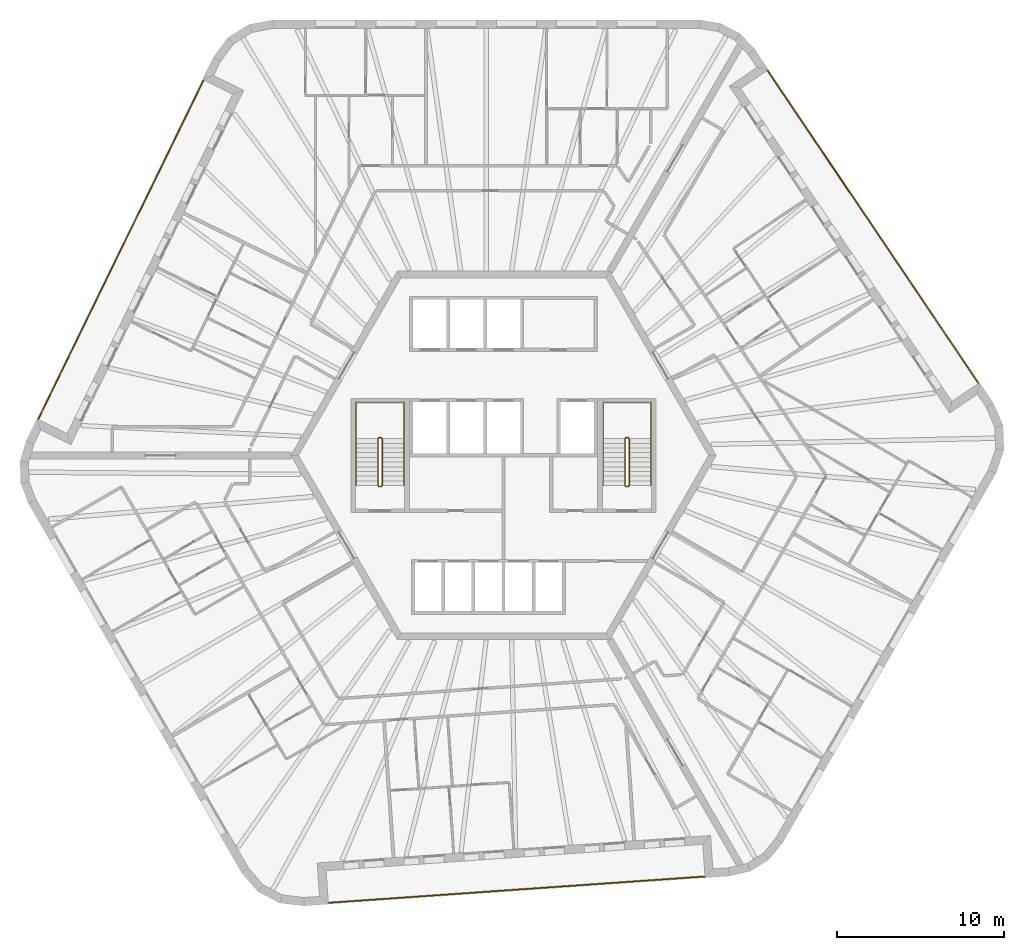
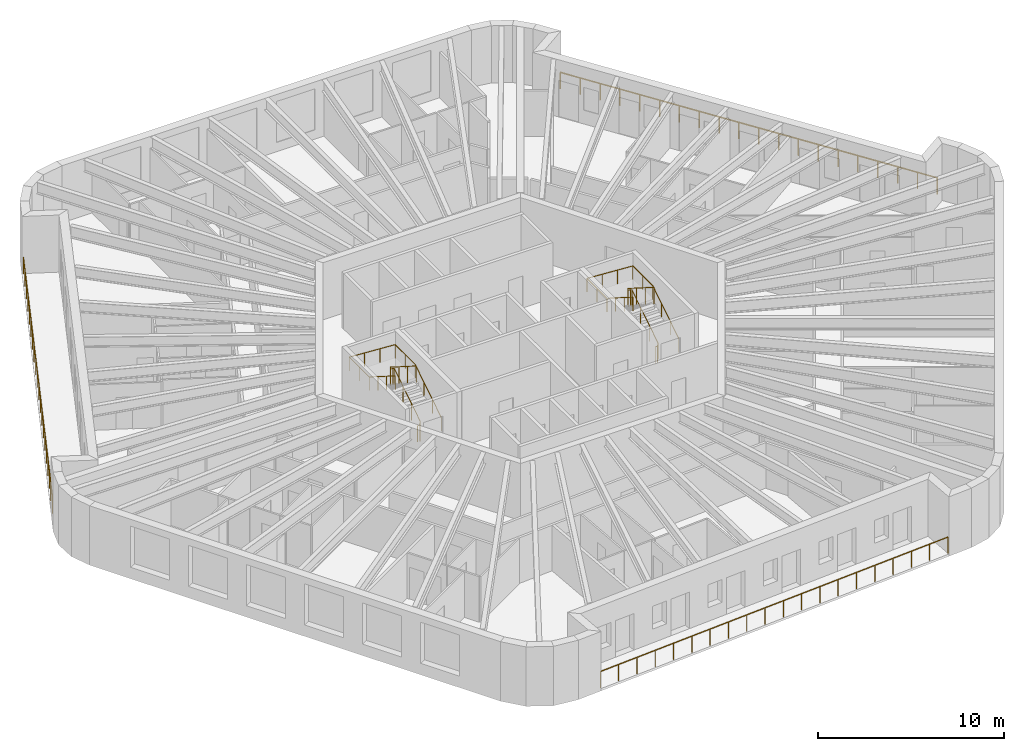
# One storey, part 12 of 12: 7 railings.
"""IFC4 building model written with IfcOpenShell, lengths in metres."""

from ifc_helpers import new_model, si_unit, direction, frame, origin, origin_2d, place, context, subcontext, project, spatial, circle, extrude, material, type_object, element, save


model = new_model("IFC4")

# Units and contexts
model_context = context("Model", 3, precision=1e-05, world=origin(), true_north=direction((0.0, 1.0)))
body_context = subcontext(model_context, "Body", "Model", "MODEL_VIEW")
ifc_project = project(units=[si_unit("LENGTHUNIT", "METRE"), si_unit("AREAUNIT", "SQUARE_METRE"), si_unit("VOLUMEUNIT", "CUBIC_METRE"), si_unit("PLANEANGLEUNIT", "RADIAN"), si_unit("MASSUNIT", "GRAM", prefix="KILO")], contexts=[model_context])

# Site, building, storey
site_placement = place(None, origin())
site = spatial("IfcSite", under=ifc_project, at=site_placement, CompositionType="ELEMENT")
building_placement = place(site_placement, origin())
building = spatial("IfcBuilding", under=site, at=building_placement, Name="Tarnside Tower", CompositionType="ELEMENT")
storey_placement = place(building_placement, frame((0.0, 0.0, 287.39990234375)))
storey = spatial("IfcBuildingStorey", under=building, at=storey_placement, Name="L69", CompositionType="ELEMENT", Elevation=287.39990234375)

# Railings
ifc_material_1 = material(Name="Toughened glass", Category="glass")
railing_type_1 = type_object("IfcRailingType", Name="Glass guard 1100", PredefinedType="GUARDRAIL", material=ifc_material_1)
railing_1_placement = place(storey_placement, frame((-17.906005859375, 22.415283203125, 0.0)))
element("IfcRailing", 1, at=railing_1_placement, inside=storey, type_object=railing_type_1, Name="Loggia guard L69 F2", PredefinedType="GUARDRAIL", context=body_context, shape_type="SweptSolid", body=[
    extrude(circle(Radius=0.030029296875, at=origin_2d()), frame((0.0, 0.0, 1.070068359375), z_axis=(-0.438372639335, -0.898793318335, 0.0), x_axis=(0.898793318335, -0.438372639335, 0.0)), (0.0, 0.0, 1.0), 22.544921875),
    extrude(circle(Radius=0.02490234375, at=origin_2d()), origin(), (0.0, 0.0, 1.0), 1.0400390625),
    extrude(circle(Radius=0.02490234375, at=origin_2d()), frame((-0.520263671875, -1.06640625, 0.0)), (0.0, 0.0, 1.0), 1.0400390625),
    extrude(circle(Radius=0.02490234375, at=origin_2d()), frame((-1.040283203125, -2.133056640625, 0.0)), (0.0, 0.0, 1.0), 1.0400390625),
    extrude(circle(Radius=0.02490234375, at=origin_2d()), frame((-1.560546875, -3.199462890625, 0.0)), (0.0, 0.0, 1.0), 1.0400390625),
    extrude(circle(Radius=0.02490234375, at=origin_2d()), frame((-2.08056640625, -4.265869140625, 0.0)), (0.0, 0.0, 1.0), 1.0400390625),
    extrude(circle(Radius=0.02490234375, at=origin_2d()), frame((-2.600830078125, -5.33251953125, 0.0)), (0.0, 0.0, 1.0), 1.0400390625),
    extrude(circle(Radius=0.02490234375, at=origin_2d()), frame((-3.120849609375, -6.39892578125, 0.0)), (0.0, 0.0, 1.0), 1.0400390625),
    extrude(circle(Radius=0.02490234375, at=origin_2d()), frame((-3.64111328125, -7.46533203125, 0.0)), (0.0, 0.0, 1.0), 1.0400390625),
    extrude(circle(Radius=0.02490234375, at=origin_2d()), frame((-4.161376953125, -8.531982421875, 0.0)), (0.0, 0.0, 1.0), 1.0400390625),
    extrude(circle(Radius=0.02490234375, at=origin_2d()), frame((-4.681396484375, -9.598388671875, 0.0)), (0.0, 0.0, 1.0), 1.0400390625),
    extrude(circle(Radius=0.02490234375, at=origin_2d()), frame((-5.20166015625, -10.664794921875, 0.0)), (0.0, 0.0, 1.0), 1.0400390625),
    extrude(circle(Radius=0.02490234375, at=origin_2d()), frame((-5.7216796875, -11.731201171875, 0.0)), (0.0, 0.0, 1.0), 1.0400390625),
    extrude(circle(Radius=0.02490234375, at=origin_2d()), frame((-6.241943359375, -12.7978515625, 0.0)), (0.0, 0.0, 1.0), 1.0400390625),
    extrude(circle(Radius=0.02490234375, at=origin_2d()), frame((-6.76220703125, -13.8642578125, 0.0)), (0.0, 0.0, 1.0), 1.0400390625),
    extrude(circle(Radius=0.02490234375, at=origin_2d()), frame((-7.2822265625, -14.9306640625, 0.0)), (0.0, 0.0, 1.0), 1.0400390625),
    extrude(circle(Radius=0.02490234375, at=origin_2d()), frame((-7.802490234375, -15.997314453125, 0.0)), (0.0, 0.0, 1.0), 1.0400390625),
    extrude(circle(Radius=0.02490234375, at=origin_2d()), frame((-8.322509765625, -17.063720703125, 0.0)), (0.0, 0.0, 1.0), 1.0400390625),
    extrude(circle(Radius=0.02490234375, at=origin_2d()), frame((-8.8427734375, -18.130126953125, 0.0)), (0.0, 0.0, 1.0), 1.0400390625),
    extrude(circle(Radius=0.02490234375, at=origin_2d()), frame((-9.36279296875, -19.19677734375, 0.0)), (0.0, 0.0, 1.0), 1.0400390625),
    extrude(circle(Radius=0.02490234375, at=origin_2d()), frame((-9.883056640625, -20.26318359375, 0.0)), (0.0, 0.0, 1.0), 1.0400390625),
])
railing_2_placement = place(storey_placement, frame((-10.458984375, -26.714599609375, 0.0)))
element("IfcRailing", 2, at=railing_2_placement, inside=storey, type_object=railing_type_1, Name="Loggia guard L69 F4", PredefinedType="GUARDRAIL", context=body_context, shape_type="SweptSolid", body=[
    extrude(circle(Radius=0.030029296875, at=origin_2d()), frame((0.0, 0.0, 1.070068359375), z_axis=(0.997564440639, 0.069750890837, 0.0), x_axis=(-0.069750890837, 0.997564440639, 0.0)), (0.0, 0.0, 1.0), 22.544677734375),
    extrude(circle(Radius=0.02490234375, at=origin_2d()), origin(), (0.0, 0.0, 1.0), 1.0400390625),
    extrude(circle(Radius=0.02490234375, at=origin_2d()), frame((1.18359375, 0.082763671875, 0.0)), (0.0, 0.0, 1.0), 1.0400390625),
    extrude(circle(Radius=0.02490234375, at=origin_2d()), frame((2.367431640625, 0.16552734375, 0.0)), (0.0, 0.0, 1.0), 1.0400390625),
    extrude(circle(Radius=0.02490234375, at=origin_2d()), frame((3.551025390625, 0.248291015625, 0.0)), (0.0, 0.0, 1.0), 1.0400390625),
    extrude(circle(Radius=0.02490234375, at=origin_2d()), frame((4.734619140625, 0.3310546875, 0.0)), (0.0, 0.0, 1.0), 1.0400390625),
    extrude(circle(Radius=0.02490234375, at=origin_2d()), frame((5.91845703125, 0.413818359375, 0.0)), (0.0, 0.0, 1.0), 1.0400390625),
    extrude(circle(Radius=0.02490234375, at=origin_2d()), frame((7.10205078125, 0.49658203125, 0.0)), (0.0, 0.0, 1.0), 1.0400390625),
    extrude(circle(Radius=0.02490234375, at=origin_2d()), frame((8.28564453125, 0.579345703125, 0.0)), (0.0, 0.0, 1.0), 1.0400390625),
    extrude(circle(Radius=0.02490234375, at=origin_2d()), frame((9.469482421875, 0.662109375, 0.0)), (0.0, 0.0, 1.0), 1.0400390625),
    extrude(circle(Radius=0.02490234375, at=origin_2d()), frame((10.653076171875, 0.744873046875, 0.0)), (0.0, 0.0, 1.0), 1.0400390625),
    extrude(circle(Radius=0.02490234375, at=origin_2d()), frame((11.836669921875, 0.82763671875, 0.0)), (0.0, 0.0, 1.0), 1.0400390625),
    extrude(circle(Radius=0.02490234375, at=origin_2d()), frame((13.020263671875, 0.910400390625, 0.0)), (0.0, 0.0, 1.0), 1.0400390625),
    extrude(circle(Radius=0.02490234375, at=origin_2d()), frame((14.2041015625, 0.9931640625, 0.0)), (0.0, 0.0, 1.0), 1.0400390625),
    extrude(circle(Radius=0.02490234375, at=origin_2d()), frame((15.3876953125, 1.075927734375, 0.0)), (0.0, 0.0, 1.0), 1.0400390625),
    extrude(circle(Radius=0.02490234375, at=origin_2d()), frame((16.5712890625, 1.15869140625, 0.0)), (0.0, 0.0, 1.0), 1.0400390625),
    extrude(circle(Radius=0.02490234375, at=origin_2d()), frame((17.755126953125, 1.241455078125, 0.0)), (0.0, 0.0, 1.0), 1.0400390625),
    extrude(circle(Radius=0.02490234375, at=origin_2d()), frame((18.938720703125, 1.32421875, 0.0)), (0.0, 0.0, 1.0), 1.0400390625),
    extrude(circle(Radius=0.02490234375, at=origin_2d()), frame((20.122314453125, 1.406982421875, 0.0)), (0.0, 0.0, 1.0), 1.0400390625),
    extrude(circle(Radius=0.02490234375, at=origin_2d()), frame((21.30615234375, 1.48974609375, 0.0)), (0.0, 0.0, 1.0), 1.0400390625),
    extrude(circle(Radius=0.02490234375, at=origin_2d()), frame((22.48974609375, 1.572509765625, 0.0)), (0.0, 0.0, 1.0), 1.0400390625),
])
railing_3_placement = place(storey_placement, frame((28.365234375, 4.299560546875, 0.0)))
element("IfcRailing", 3, at=railing_3_placement, inside=storey, type_object=railing_type_1, Name="Loggia guard L69 F6", PredefinedType="GUARDRAIL", context=body_context, shape_type="SweptSolid", body=[
    extrude(circle(Radius=0.030029296875, at=origin_2d()), frame((0.0, 0.0, 1.070068359375), z_axis=(-0.559195329741, 0.82903593601, 0.0), x_axis=(-0.82903593601, -0.559195329741, 0.0)), (0.0, 0.0, 1.0), 22.544677734375),
    extrude(circle(Radius=0.02490234375, at=origin_2d()), origin(), (0.0, 0.0, 1.0), 1.0400390625),
    extrude(circle(Radius=0.02490234375, at=origin_2d()), frame((-0.66357421875, 0.983642578125, 0.0)), (0.0, 0.0, 1.0), 1.0400390625),
    extrude(circle(Radius=0.02490234375, at=origin_2d()), frame((-1.3271484375, 1.967529296875, 0.0)), (0.0, 0.0, 1.0), 1.0400390625),
    extrude(circle(Radius=0.02490234375, at=origin_2d()), frame((-1.990478515625, 2.951171875, 0.0)), (0.0, 0.0, 1.0), 1.0400390625),
    extrude(circle(Radius=0.02490234375, at=origin_2d()), frame((-2.654052734375, 3.934814453125, 0.0)), (0.0, 0.0, 1.0), 1.0400390625),
    extrude(circle(Radius=0.02490234375, at=origin_2d()), frame((-3.317626953125, 4.91845703125, 0.0)), (0.0, 0.0, 1.0), 1.0400390625),
    extrude(circle(Radius=0.02490234375, at=origin_2d()), frame((-3.981201171875, 5.90234375, 0.0)), (0.0, 0.0, 1.0), 1.0400390625),
    extrude(circle(Radius=0.02490234375, at=origin_2d()), frame((-4.644775390625, 6.885986328125, 0.0)), (0.0, 0.0, 1.0), 1.0400390625),
    extrude(circle(Radius=0.02490234375, at=origin_2d()), frame((-5.30810546875, 7.86962890625, 0.0)), (0.0, 0.0, 1.0), 1.0400390625),
    extrude(circle(Radius=0.02490234375, at=origin_2d()), frame((-5.9716796875, 8.853271484375, 0.0)), (0.0, 0.0, 1.0), 1.0400390625),
    extrude(circle(Radius=0.02490234375, at=origin_2d()), frame((-6.63525390625, 9.837158203125, 0.0)), (0.0, 0.0, 1.0), 1.0400390625),
    extrude(circle(Radius=0.02490234375, at=origin_2d()), frame((-7.298828125, 10.82080078125, 0.0)), (0.0, 0.0, 1.0), 1.0400390625),
    extrude(circle(Radius=0.02490234375, at=origin_2d()), frame((-7.962158203125, 11.804443359375, 0.0)), (0.0, 0.0, 1.0), 1.0400390625),
    extrude(circle(Radius=0.02490234375, at=origin_2d()), frame((-8.625732421875, 12.7880859375, 0.0)), (0.0, 0.0, 1.0), 1.0400390625),
    extrude(circle(Radius=0.02490234375, at=origin_2d()), frame((-9.289306640625, 13.77197265625, 0.0)), (0.0, 0.0, 1.0), 1.0400390625),
    extrude(circle(Radius=0.02490234375, at=origin_2d()), frame((-9.952880859375, 14.755615234375, 0.0)), (0.0, 0.0, 1.0), 1.0400390625),
    extrude(circle(Radius=0.02490234375, at=origin_2d()), frame((-10.616455078125, 15.7392578125, 0.0)), (0.0, 0.0, 1.0), 1.0400390625),
    extrude(circle(Radius=0.02490234375, at=origin_2d()), frame((-11.27978515625, 16.722900390625, 0.0)), (0.0, 0.0, 1.0), 1.0400390625),
    extrude(circle(Radius=0.02490234375, at=origin_2d()), frame((-11.943359375, 17.706787109375, 0.0)), (0.0, 0.0, 1.0), 1.0400390625),
    extrude(circle(Radius=0.02490234375, at=origin_2d()), frame((-12.60693359375, 18.6904296875, 0.0)), (0.0, 0.0, 1.0), 1.0400390625),
])
ifc_material_2 = material(Name="Stainless steel", Category="steel")
railing_type_2 = type_object("IfcRailingType", Name="Stair guard 1100", PredefinedType="GUARDRAIL", material=ifc_material_2)
railing_4_placement = place(storey_placement, frame((7.300048828125, -1.85009765625, 0.0)))
element("IfcRailing", 4, at=railing_4_placement, inside=storey, type_object=railing_type_2, Name="L69 ST1 stair guard 1", PredefinedType="GUARDRAIL", context=body_context, shape_type="SweptSolid", body=[
    extrude(circle(Radius=0.02392578125, at=origin_2d()), frame((0.0, 0.0, 1.076171875), z_axis=(1.0, 0.0, 0.0), x_axis=(0.0, 1.0, 0.0)), (0.0, 0.0, 1.0), 0.14990234375),
    extrude(circle(Radius=0.02392578125, at=origin_2d()), frame((0.14990234375, 0.0, 1.076171875), z_axis=(0.261922500866, 0.261922500866, 0.928866625022), x_axis=(-0.707106781187, 0.707106781187, 0.0)), (0.0, 0.0, 1.0), 0.191162109375),
    extrude(circle(Radius=0.02392578125, at=origin_2d()), frame((0.199951171875, 0.050048828125, 1.25341796875), z_axis=(0.0, 0.844908973607, 0.534910110503), x_axis=(-1.0, 0.0, 0.0)), (0.0, 0.0, 1.0), 3.31396484375),
    extrude(circle(Radius=0.02392578125, at=origin_2d()), frame((0.199951171875, 2.85009765625, 3.0263671875), z_axis=(-0.707106781187, 0.707106781187, 0.0), x_axis=(-0.707106781187, -0.707106781187, 0.0)), (0.0, 0.0, 1.0), 0.07080078125),
    extrude(circle(Radius=0.02392578125, at=origin_2d()), frame((0.14990234375, 2.900146484375, 3.0263671875), z_axis=(-1.0, 0.0, 0.0), x_axis=(0.0, -1.0, 0.0)), (0.0, 0.0, 1.0), 0.14990234375),
    extrude(circle(Radius=0.02392578125, at=origin_2d()), frame((0.0, 2.900146484375, 3.0263671875), z_axis=(-0.262233686654, -0.262233686654, 0.928691007369), x_axis=(0.707106781187, -0.707106781187, 0.0)), (0.0, 0.0, 1.0), 0.19091796875),
    extrude(circle(Radius=0.02392578125, at=origin_2d()), frame((-0.050048828125, 2.85009765625, 3.20361328125), z_axis=(0.0, -0.844908973607, 0.534910110503), x_axis=(1.0, 0.0, 0.0)), (0.0, 0.0, 1.0), 3.31396484375),
    extrude(circle(Radius=0.02099609375, at=origin_2d()), origin(), (0.0, 0.0, 1.0), 1.052001953125),
    extrude(circle(Radius=0.02099609375, at=origin_2d()), frame((0.14990234375, 0.0, 0.0)), (0.0, 0.0, 1.0), 1.052001953125),
    extrude(circle(Radius=0.02099609375, at=origin_2d()), frame((0.199951171875, 0.050048828125, 0.177490234375)), (0.0, 0.0, 1.0), 1.052001953125),
    extrude(circle(Radius=0.02099609375, at=origin_2d()), frame((0.199951171875, 0.9833984375, 0.768310546875)), (0.0, 0.0, 1.0), 1.052001953125),
    extrude(circle(Radius=0.02099609375, at=origin_2d()), frame((0.199951171875, 1.916748046875, 1.359375)), (0.0, 0.0, 1.0), 1.052001953125),
    extrude(circle(Radius=0.02099609375, at=origin_2d()), frame((0.199951171875, 2.85009765625, 1.9501953125)), (0.0, 0.0, 1.0), 1.052001953125),
    extrude(circle(Radius=0.02099609375, at=origin_2d()), frame((0.14990234375, 2.900146484375, 1.9501953125)), (0.0, 0.0, 1.0), 1.052001953125),
    extrude(circle(Radius=0.02099609375, at=origin_2d()), frame((0.0, 2.900146484375, 1.9501953125)), (0.0, 0.0, 1.0), 1.052001953125),
    extrude(circle(Radius=0.02099609375, at=origin_2d()), frame((-0.050048828125, 2.85009765625, 2.12744140625)), (0.0, 0.0, 1.0), 1.052001953125),
    extrude(circle(Radius=0.02099609375, at=origin_2d()), frame((-0.050048828125, 1.916748046875, 2.71826171875)), (0.0, 0.0, 1.0), 1.052001953125),
    extrude(circle(Radius=0.02099609375, at=origin_2d()), frame((-0.050048828125, 0.9833984375, 3.309326171875)), (0.0, 0.0, 1.0), 1.052001953125),
    extrude(circle(Radius=0.02099609375, at=origin_2d()), frame((-0.050048828125, 0.050048828125, 3.900146484375)), (0.0, 0.0, 1.0), 1.052001953125),
])
railing_5_placement = place(storey_placement, frame((-7.449951171875, -1.85009765625, 0.0)))
element("IfcRailing", 5, at=railing_5_placement, inside=storey, type_object=railing_type_2, Name="L69 ST2 stair guard 1", PredefinedType="GUARDRAIL", context=body_context, shape_type="SweptSolid", body=[
    extrude(circle(Radius=0.02392578125, at=origin_2d()), frame((0.0, 0.0, 1.076171875), z_axis=(1.0, 0.0, 0.0), x_axis=(0.0, 1.0, 0.0)), (0.0, 0.0, 1.0), 0.14990234375),
    extrude(circle(Radius=0.02392578125, at=origin_2d()), frame((0.14990234375, 0.0, 1.076171875), z_axis=(0.261922500866, 0.261922500866, 0.928866625022), x_axis=(-0.707106781187, 0.707106781187, 0.0)), (0.0, 0.0, 1.0), 0.191162109375),
    extrude(circle(Radius=0.02392578125, at=origin_2d()), frame((0.199951171875, 0.050048828125, 1.25341796875), z_axis=(0.0, 0.844908973607, 0.534910110503), x_axis=(-1.0, 0.0, 0.0)), (0.0, 0.0, 1.0), 3.31396484375),
    extrude(circle(Radius=0.02392578125, at=origin_2d()), frame((0.199951171875, 2.85009765625, 3.0263671875), z_axis=(-0.707106781187, 0.707106781187, 0.0), x_axis=(-0.707106781187, -0.707106781187, 0.0)), (0.0, 0.0, 1.0), 0.07080078125),
    extrude(circle(Radius=0.02392578125, at=origin_2d()), frame((0.14990234375, 2.900146484375, 3.0263671875), z_axis=(-1.0, 0.0, 0.0), x_axis=(0.0, -1.0, 0.0)), (0.0, 0.0, 1.0), 0.14990234375),
    extrude(circle(Radius=0.02392578125, at=origin_2d()), frame((0.0, 2.900146484375, 3.0263671875), z_axis=(-0.262233686654, -0.262233686654, 0.928691007369), x_axis=(0.707106781187, -0.707106781187, 0.0)), (0.0, 0.0, 1.0), 0.19091796875),
    extrude(circle(Radius=0.02392578125, at=origin_2d()), frame((-0.050048828125, 2.85009765625, 3.20361328125), z_axis=(0.0, -0.844908973607, 0.534910110503), x_axis=(1.0, 0.0, 0.0)), (0.0, 0.0, 1.0), 3.31396484375),
    extrude(circle(Radius=0.02099609375, at=origin_2d()), origin(), (0.0, 0.0, 1.0), 1.052001953125),
    extrude(circle(Radius=0.02099609375, at=origin_2d()), frame((0.14990234375, 0.0, 0.0)), (0.0, 0.0, 1.0), 1.052001953125),
    extrude(circle(Radius=0.02099609375, at=origin_2d()), frame((0.199951171875, 0.050048828125, 0.177490234375)), (0.0, 0.0, 1.0), 1.052001953125),
    extrude(circle(Radius=0.02099609375, at=origin_2d()), frame((0.199951171875, 0.9833984375, 0.768310546875)), (0.0, 0.0, 1.0), 1.052001953125),
    extrude(circle(Radius=0.02099609375, at=origin_2d()), frame((0.199951171875, 1.916748046875, 1.359375)), (0.0, 0.0, 1.0), 1.052001953125),
    extrude(circle(Radius=0.02099609375, at=origin_2d()), frame((0.199951171875, 2.85009765625, 1.9501953125)), (0.0, 0.0, 1.0), 1.052001953125),
    extrude(circle(Radius=0.02099609375, at=origin_2d()), frame((0.14990234375, 2.900146484375, 1.9501953125)), (0.0, 0.0, 1.0), 1.052001953125),
    extrude(circle(Radius=0.02099609375, at=origin_2d()), frame((0.0, 2.900146484375, 1.9501953125)), (0.0, 0.0, 1.0), 1.052001953125),
    extrude(circle(Radius=0.02099609375, at=origin_2d()), frame((-0.050048828125, 2.85009765625, 2.12744140625)), (0.0, 0.0, 1.0), 1.052001953125),
    extrude(circle(Radius=0.02099609375, at=origin_2d()), frame((-0.050048828125, 1.916748046875, 2.71826171875)), (0.0, 0.0, 1.0), 1.052001953125),
    extrude(circle(Radius=0.02099609375, at=origin_2d()), frame((-0.050048828125, 0.9833984375, 3.309326171875)), (0.0, 0.0, 1.0), 1.052001953125),
    extrude(circle(Radius=0.02099609375, at=origin_2d()), frame((-0.050048828125, 0.050048828125, 3.900146484375)), (0.0, 0.0, 1.0), 1.052001953125),
])
railing_type_3 = type_object("IfcRailingType", Name="Stair handrail 900", PredefinedType="HANDRAIL", material=ifc_material_2)
railing_6_placement = place(storey_placement, frame((8.800048828125, -1.800048828125, 0.177490234375)))
element("IfcRailing", 6, at=railing_6_placement, inside=storey, type_object=railing_type_3, Name="L69 ST1 stair handrail 1", PredefinedType="HANDRAIL", context=body_context, shape_type="SweptSolid", body=[
    extrude(circle(Radius=0.02392578125, at=origin_2d()), frame((0.0, 0.0, 0.8857421875), z_axis=(0.0, 0.844908973607, 0.534910110503), x_axis=(-1.0, 0.0, 0.0)), (0.0, 0.0, 1.0), 3.31396484375),
    extrude(circle(Radius=0.02392578125, at=origin_2d()), frame((0.0, 2.800048828125, 2.65869140625), z_axis=(0.0, 1.0, 0.0), x_axis=(-1.0, 0.0, 0.0)), (0.0, 0.0, 1.0), 2.14990234375),
    extrude(circle(Radius=0.02392578125, at=origin_2d()), frame((0.0, 4.949951171875, 2.65869140625), z_axis=(-0.998071825391, 0.0, 0.06206956872), x_axis=(0.0, -1.0, 0.0)), (0.0, 0.0, 1.0), 2.855712890625),
    extrude(circle(Radius=0.02392578125, at=origin_2d()), frame((-2.85009765625, 4.949951171875, 2.8359375), z_axis=(0.0, -1.0, 0.0), x_axis=(1.0, 0.0, 0.0)), (0.0, 0.0, 1.0), 2.14990234375),
    extrude(circle(Radius=0.02392578125, at=origin_2d()), frame((-2.85009765625, 2.800048828125, 2.8359375), z_axis=(0.0, -0.844908973607, 0.534910110503), x_axis=(1.0, 0.0, 0.0)), (0.0, 0.0, 1.0), 3.31396484375),
    extrude(circle(Radius=0.02099609375, at=origin_2d()), origin(), (0.0, 0.0, 1.0), 0.86181640625),
    extrude(circle(Radius=0.02099609375, at=origin_2d()), frame((0.0, 0.933349609375, 0.5908203125)), (0.0, 0.0, 1.0), 0.86181640625),
    extrude(circle(Radius=0.02099609375, at=origin_2d()), frame((0.0, 1.86669921875, 1.181884765625)), (0.0, 0.0, 1.0), 0.86181640625),
    extrude(circle(Radius=0.02099609375, at=origin_2d()), frame((0.0, 2.800048828125, 1.772705078125)), (0.0, 0.0, 1.0), 0.86181640625),
    extrude(circle(Radius=0.02099609375, at=origin_2d()), frame((0.0, 3.875, 1.772705078125)), (0.0, 0.0, 1.0), 0.86181640625),
    extrude(circle(Radius=0.02099609375, at=origin_2d()), frame((0.0, 4.949951171875, 1.772705078125)), (0.0, 0.0, 1.0), 0.86181640625),
    extrude(circle(Radius=0.02099609375, at=origin_2d()), frame((-0.949951171875, 4.949951171875, 1.831787109375)), (0.0, 0.0, 1.0), 0.86181640625),
    extrude(circle(Radius=0.02099609375, at=origin_2d()), frame((-1.900146484375, 4.949951171875, 1.890869140625)), (0.0, 0.0, 1.0), 0.86181640625),
    extrude(circle(Radius=0.02099609375, at=origin_2d()), frame((-2.85009765625, 4.949951171875, 1.949951171875)), (0.0, 0.0, 1.0), 0.86181640625),
    extrude(circle(Radius=0.02099609375, at=origin_2d()), frame((-2.85009765625, 3.875, 1.949951171875)), (0.0, 0.0, 1.0), 0.86181640625),
    extrude(circle(Radius=0.02099609375, at=origin_2d()), frame((-2.85009765625, 2.800048828125, 1.949951171875)), (0.0, 0.0, 1.0), 0.86181640625),
    extrude(circle(Radius=0.02099609375, at=origin_2d()), frame((-2.85009765625, 1.86669921875, 2.540771484375)), (0.0, 0.0, 1.0), 0.86181640625),
    extrude(circle(Radius=0.02099609375, at=origin_2d()), frame((-2.85009765625, 0.933349609375, 3.1318359375)), (0.0, 0.0, 1.0), 0.86181640625),
    extrude(circle(Radius=0.02099609375, at=origin_2d()), frame((-2.85009765625, 0.0, 3.72265625)), (0.0, 0.0, 1.0), 0.86181640625),
])
railing_7_placement = place(storey_placement, frame((-5.949951171875, -1.800048828125, 0.177490234375)))
element("IfcRailing", 7, at=railing_7_placement, inside=storey, type_object=railing_type_3, Name="L69 ST2 stair handrail 1", PredefinedType="HANDRAIL", context=body_context, shape_type="SweptSolid", body=[
    extrude(circle(Radius=0.02392578125, at=origin_2d()), frame((0.0, 0.0, 0.8857421875), z_axis=(0.0, 0.844908973607, 0.534910110503), x_axis=(-1.0, 0.0, 0.0)), (0.0, 0.0, 1.0), 3.31396484375),
    extrude(circle(Radius=0.02392578125, at=origin_2d()), frame((0.0, 2.800048828125, 2.65869140625), z_axis=(0.0, 1.0, 0.0), x_axis=(-1.0, 0.0, 0.0)), (0.0, 0.0, 1.0), 2.14990234375),
    extrude(circle(Radius=0.02392578125, at=origin_2d()), frame((0.0, 4.949951171875, 2.65869140625), z_axis=(-0.998071825391, 0.0, 0.06206956872), x_axis=(0.0, -1.0, 0.0)), (0.0, 0.0, 1.0), 2.855712890625),
    extrude(circle(Radius=0.02392578125, at=origin_2d()), frame((-2.85009765625, 4.949951171875, 2.8359375), z_axis=(0.0, -1.0, 0.0), x_axis=(1.0, 0.0, 0.0)), (0.0, 0.0, 1.0), 2.14990234375),
    extrude(circle(Radius=0.02392578125, at=origin_2d()), frame((-2.85009765625, 2.800048828125, 2.8359375), z_axis=(0.0, -0.844908973607, 0.534910110503), x_axis=(1.0, 0.0, 0.0)), (0.0, 0.0, 1.0), 3.31396484375),
    extrude(circle(Radius=0.02099609375, at=origin_2d()), origin(), (0.0, 0.0, 1.0), 0.86181640625),
    extrude(circle(Radius=0.02099609375, at=origin_2d()), frame((0.0, 0.933349609375, 0.5908203125)), (0.0, 0.0, 1.0), 0.86181640625),
    extrude(circle(Radius=0.02099609375, at=origin_2d()), frame((0.0, 1.86669921875, 1.181884765625)), (0.0, 0.0, 1.0), 0.86181640625),
    extrude(circle(Radius=0.02099609375, at=origin_2d()), frame((0.0, 2.800048828125, 1.772705078125)), (0.0, 0.0, 1.0), 0.86181640625),
    extrude(circle(Radius=0.02099609375, at=origin_2d()), frame((0.0, 3.875, 1.772705078125)), (0.0, 0.0, 1.0), 0.86181640625),
    extrude(circle(Radius=0.02099609375, at=origin_2d()), frame((0.0, 4.949951171875, 1.772705078125)), (0.0, 0.0, 1.0), 0.86181640625),
    extrude(circle(Radius=0.02099609375, at=origin_2d()), frame((-0.949951171875, 4.949951171875, 1.831787109375)), (0.0, 0.0, 1.0), 0.86181640625),
    extrude(circle(Radius=0.02099609375, at=origin_2d()), frame((-1.900146484375, 4.949951171875, 1.890869140625)), (0.0, 0.0, 1.0), 0.86181640625),
    extrude(circle(Radius=0.02099609375, at=origin_2d()), frame((-2.85009765625, 4.949951171875, 1.949951171875)), (0.0, 0.0, 1.0), 0.86181640625),
    extrude(circle(Radius=0.02099609375, at=origin_2d()), frame((-2.85009765625, 3.875, 1.949951171875)), (0.0, 0.0, 1.0), 0.86181640625),
    extrude(circle(Radius=0.02099609375, at=origin_2d()), frame((-2.85009765625, 2.800048828125, 1.949951171875)), (0.0, 0.0, 1.0), 0.86181640625),
    extrude(circle(Radius=0.02099609375, at=origin_2d()), frame((-2.85009765625, 1.86669921875, 2.540771484375)), (0.0, 0.0, 1.0), 0.86181640625),
    extrude(circle(Radius=0.02099609375, at=origin_2d()), frame((-2.85009765625, 0.933349609375, 3.1318359375)), (0.0, 0.0, 1.0), 0.86181640625),
    extrude(circle(Radius=0.02099609375, at=origin_2d()), frame((-2.85009765625, 0.0, 3.72265625)), (0.0, 0.0, 1.0), 0.86181640625),
])

save(model, "model.ifc")
